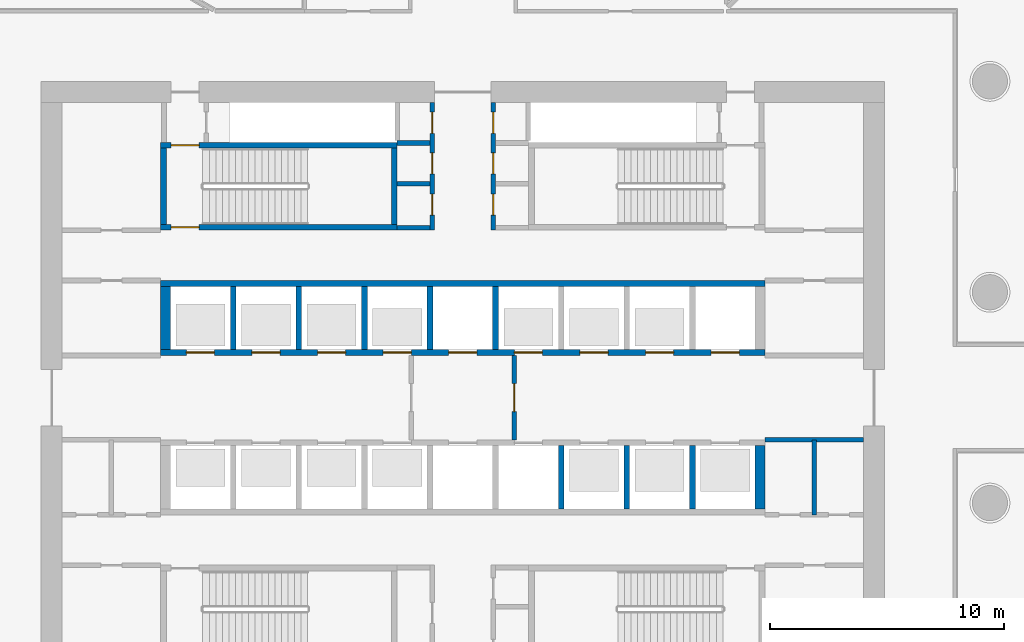
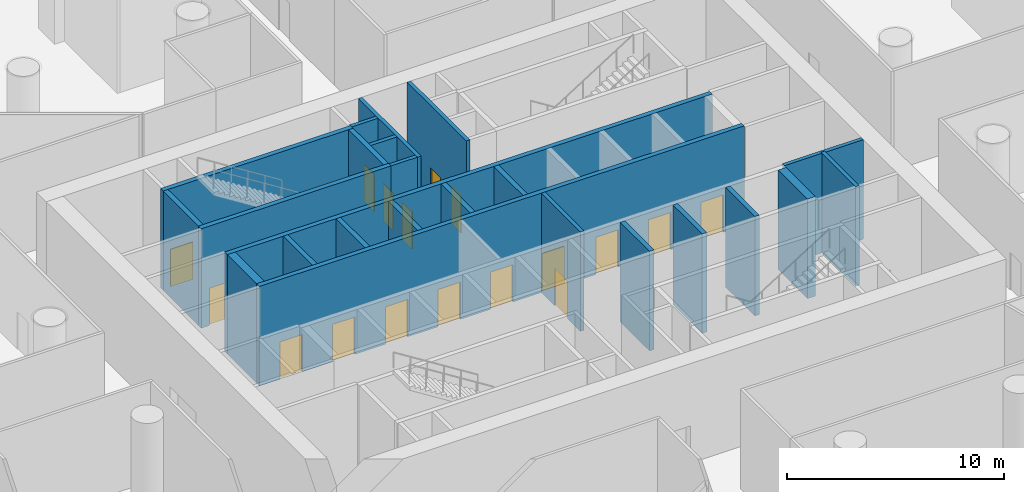
# One storey, part 20 of 44: 24 walls, 18 doors, 18 openings.
"""IFC4 building model written with IfcOpenShell, lengths in metres."""

from ifc_helpers import new_model, si_unit, direction, frame, frame_2d, origin, place, context, subcontext, project, spatial, polyline, rectangle, outline, extrude, material, layer, layer_set, type_object, element, fill, save


model = new_model("IFC4")

# Units and contexts
model_context = context("Model", 3, precision=1e-05, world=origin(), true_north=direction((0.0, 1.0)))
body_context = subcontext(model_context, "Body", "Model", "MODEL_VIEW")
ifc_project = project(units=[si_unit("LENGTHUNIT", "METRE"), si_unit("AREAUNIT", "SQUARE_METRE"), si_unit("VOLUMEUNIT", "CUBIC_METRE"), si_unit("PLANEANGLEUNIT", "RADIAN"), si_unit("MASSUNIT", "GRAM", prefix="KILO")], contexts=[model_context])

# Site, building, storey
site_placement = place(None, origin())
site = spatial("IfcSite", under=ifc_project, at=site_placement, CompositionType="ELEMENT")
building_placement = place(site_placement, origin())
building = spatial("IfcBuilding", under=site, at=building_placement, Name="Dhurran Vertical Campus", CompositionType="ELEMENT")
storey_placement = place(building_placement, origin())
storey = spatial("IfcBuildingStorey", under=building, at=storey_placement, Name="L00", CompositionType="ELEMENT", Elevation=0.0)

# Wall, opening, door
ifc_material_1 = material(Name="Fire-rated masonry blockwork", Category="masonry")
ifc_layer_1 = layer(ifc_material_1, 0.199951171875)
ifc_layer_set_1 = layer_set([ifc_layer_1], Name="Fire-rated masonry blockwork")
wall_type_1 = type_object("IfcWallType", Name="co-FIRE-PARTITION-200", PredefinedType="PARTITIONING", material=ifc_layer_set_1)
wall_1_placement = place(storey_placement, frame((2.199951171875, -1.800048828125, 0.0), z_axis=(0.0, 0.0, 1.0), x_axis=(0.0, 1.0, 0.0)))
wall_1 = element("IfcWall", 1, at=wall_1_placement, inside=storey, type_object=wall_type_1, Name="Firefighting lobby wall E L00", PredefinedType="PARTITIONING", context=body_context, shape_type="SweptSolid", body=[
    extrude(rectangle(XDim=3.60009765625, YDim=0.199951171875, at=frame_2d((1.800048828125, 0.0))), origin(), (0.0, 0.0, 1.0), 5.60009765625),
])
opening_1_placement = place(wall_1_placement, frame((1.199951171875, 0.0, 0.0)))
opening_1 = element("IfcOpeningElement", 2, at=opening_1_placement, cuts=wall_1, Name="Opening FL2", PredefinedType="OPENING", context=body_context, shape_type="SweptSolid", body=[
    extrude(rectangle(XDim=1.199951171875, YDim=2.10009765625, at=frame_2d((0.60009765625, 1.050048828125))), frame((0.0, 0.10986328125, 0.0), z_axis=(0.0, -1.0, 0.0), x_axis=(1.0, 0.0, 0.0)), (0.0, 0.0, 1.0), 0.219970703125),
])
ifc_material_2 = material(Name="Fire-rated steel door set", Category="steel")
door_type_1 = type_object("IfcDoorType", Name="co-D-FFLOBBY 1200x2100", OperationType="SINGLE_SWING_LEFT", PredefinedType="DOOR", material=ifc_material_2)
door_1_placement = place(opening_1_placement, origin())
door_1 = element("IfcDoor", 3, at=door_1_placement, inside=storey, type_object=door_type_1, Name="Firefighting lobby door E L00", OperationType="SINGLE_SWING_LEFT", OverallHeight=2.10009765625, OverallWidth=1.199951171875, PredefinedType="DOOR", context=body_context, shape_type="SweptSolid", body=[
    extrude(rectangle(XDim=1.199951171875, YDim=2.10009765625, at=frame_2d((0.60009765625, 1.050048828125))), frame((0.0, 0.02490234375, 0.0), z_axis=(0.0, -1.0, 0.0), x_axis=(1.0, 0.0, 0.0)), (0.0, 0.0, 1.0), 0.050048828125),
])
fill(opening_1, door_1)

# Walls
for number, where, z_axis, x_axis, name in (
    (4, (-2.800048828125, 7.25, 0.0), (0.0, 0.0, 1.0), (1.0, 0.0, 0.0), "Core partition sl-NW-S L00"),
    (5, (-2.800048828125, 9.135009765625, 0.0), (0.0, 0.0, 1.0), (1.0, 0.0, 0.0), "Core partition sl-NW-cut0 L00"),
    (6, (-2.800048828125, 10.867431640625, 0.0), (0.0, 0.0, 1.0), (1.0, 0.0, 0.0), "Core partition sl-NW-cut1 L00"),
):
    element("IfcWall", number, at=place(storey_placement, frame(where, z_axis=z_axis, x_axis=x_axis)), inside=storey, type_object=wall_type_1, Name=name, PredefinedType="PARTITIONING", context=body_context, shape_type="SweptSolid", body=[
        extrude(rectangle(XDim=1.400146484375, YDim=0.199951171875, at=frame_2d((0.7001953125, 0.0))), origin(), (0.0, 0.0, 1.0), 5.60009765625),
    ])

# Wall, openings, doors
wall_2_placement = place(storey_placement, frame((-1.300048828125, 7.14990234375, 0.0), z_axis=(0.0, 0.0, 1.0), x_axis=(0.0, 1.0, 0.0)))
wall_2 = element("IfcWall", 7, at=wall_2_placement, inside=storey, type_object=wall_type_1, Name="Core partition vest-NW L00", PredefinedType="PARTITIONING", context=body_context, shape_type="SweptSolid", body=[
    extrude(rectangle(XDim=5.4501953125, YDim=0.199951171875, at=frame_2d((2.72509765625, 0.0))), origin(), (0.0, 0.0, 1.0), 5.60009765625),
])
opening_2_placement = place(wall_2_placement, frame((0.642578125, 0.0, 0.0)))
opening_2 = element("IfcOpeningElement", 8, at=opening_2_placement, cuts=wall_2, Name="Opening PD00-C5", PredefinedType="OPENING", context=body_context, shape_type="SweptSolid", body=[
    extrude(rectangle(XDim=0.89990234375, YDim=2.10009765625, at=frame_2d((0.449951171875, 1.050048828125))), frame((0.0, 0.10986328125, 0.0), z_axis=(0.0, -1.0, 0.0), x_axis=(1.0, 0.0, 0.0)), (0.0, 0.0, 1.0), 0.219970703125),
])
opening_3_placement = place(wall_2_placement, frame((2.401123046875, 0.0, 0.0)))
opening_3 = element("IfcOpeningElement", 9, at=opening_3_placement, cuts=wall_2, Name="Opening PD00-C6", PredefinedType="OPENING", context=body_context, shape_type="SweptSolid", body=[
    extrude(rectangle(XDim=0.89990234375, YDim=2.10009765625, at=frame_2d((0.449951171875, 1.050048828125))), frame((0.0, 0.10986328125, 0.0), z_axis=(0.0, -1.0, 0.0), x_axis=(1.0, 0.0, 0.0)), (0.0, 0.0, 1.0), 0.219970703125),
])
opening_4_placement = place(wall_2_placement, frame((4.1337890625, 0.0, 0.0)))
opening_4 = element("IfcOpeningElement", 10, at=opening_4_placement, cuts=wall_2, Name="Opening PD00-C7", PredefinedType="OPENING", context=body_context, shape_type="SweptSolid", body=[
    extrude(rectangle(XDim=0.89990234375, YDim=2.10009765625, at=frame_2d((0.449951171875, 1.050048828125))), frame((0.0, 0.10986328125, 0.0), z_axis=(0.0, -1.0, 0.0), x_axis=(1.0, 0.0, 0.0)), (0.0, 0.0, 1.0), 0.219970703125),
])
ifc_material_3 = material(Name="Fire-rated timber door set", Category="wood")
door_type_2 = type_object("IfcDoorType", Name="co-D-ROOM 900x2100", OperationType="SINGLE_SWING_LEFT", PredefinedType="DOOR", material=ifc_material_3)
door_2_placement = place(opening_2_placement, origin())
door_2 = element("IfcDoor", 11, at=door_2_placement, inside=storey, type_object=door_type_2, Name="Water riser door L00", OperationType="SINGLE_SWING_LEFT", OverallHeight=2.10009765625, OverallWidth=0.89990234375, PredefinedType="DOOR", context=body_context, shape_type="SweptSolid", body=[
    extrude(rectangle(XDim=0.89990234375, YDim=2.10009765625, at=frame_2d((0.449951171875, 1.050048828125))), frame((0.0, 0.02490234375, 0.0), z_axis=(0.0, -1.0, 0.0), x_axis=(1.0, 0.0, 0.0)), (0.0, 0.0, 1.0), 0.050048828125),
])
fill(opening_2, door_2)
door_3_placement = place(opening_3_placement, origin())
door_3 = element("IfcDoor", 12, at=door_3_placement, inside=storey, type_object=door_type_2, Name="Electrical riser door L00", OperationType="SINGLE_SWING_LEFT", OverallHeight=2.10009765625, OverallWidth=0.89990234375, PredefinedType="DOOR", context=body_context, shape_type="SweptSolid", body=[
    extrude(rectangle(XDim=0.89990234375, YDim=2.10009765625, at=frame_2d((0.449951171875, 1.050048828125))), frame((0.0, 0.02490234375, 0.0), z_axis=(0.0, -1.0, 0.0), x_axis=(1.0, 0.0, 0.0)), (0.0, 0.0, 1.0), 0.050048828125),
])
fill(opening_3, door_3)
door_4_placement = place(opening_4_placement, origin())
door_4 = element("IfcDoor", 13, at=door_4_placement, inside=storey, type_object=door_type_2, Name="Housekeeping store door L00", OperationType="SINGLE_SWING_LEFT", OverallHeight=2.10009765625, OverallWidth=0.89990234375, PredefinedType="DOOR", context=body_context, shape_type="SweptSolid", body=[
    extrude(rectangle(XDim=0.89990234375, YDim=2.10009765625, at=frame_2d((0.449951171875, 1.050048828125))), frame((0.0, 0.02490234375, 0.0), z_axis=(0.0, -1.0, 0.0), x_axis=(1.0, 0.0, 0.0)), (0.0, 0.0, 1.0), 0.050048828125),
])
fill(opening_4, door_4)

wall_3_placement = place(storey_placement, frame((1.300048828125, 7.14990234375, 0.0), z_axis=(0.0, 0.0, 1.0), x_axis=(0.0, 1.0, 0.0)))
wall_3 = element("IfcWall", 14, at=wall_3_placement, inside=storey, type_object=wall_type_1, Name="Core partition vest-NE L00", PredefinedType="PARTITIONING", context=body_context, shape_type="SweptSolid", body=[
    extrude(rectangle(XDim=5.4501953125, YDim=0.199951171875, at=frame_2d((2.72509765625, 0.0))), origin(), (0.0, 0.0, 1.0), 5.60009765625),
])
opening_5_placement = place(wall_3_placement, frame((0.642578125, 0.0, 0.0)))
opening_5 = element("IfcOpeningElement", 15, at=opening_5_placement, cuts=wall_3, Name="Opening PD00-C8", PredefinedType="OPENING", context=body_context, shape_type="SweptSolid", body=[
    extrude(rectangle(XDim=0.89990234375, YDim=2.10009765625, at=frame_2d((0.449951171875, 1.050048828125))), frame((0.0, 0.10986328125, 0.0), z_axis=(0.0, -1.0, 0.0), x_axis=(1.0, 0.0, 0.0)), (0.0, 0.0, 1.0), 0.219970703125),
])
opening_6_placement = place(wall_3_placement, frame((2.401123046875, 0.0, 0.0)))
opening_6 = element("IfcOpeningElement", 16, at=opening_6_placement, cuts=wall_3, Name="Opening PD00-C9", PredefinedType="OPENING", context=body_context, shape_type="SweptSolid", body=[
    extrude(rectangle(XDim=0.89990234375, YDim=2.10009765625, at=frame_2d((0.449951171875, 1.050048828125))), frame((0.0, 0.10986328125, 0.0), z_axis=(0.0, -1.0, 0.0), x_axis=(1.0, 0.0, 0.0)), (0.0, 0.0, 1.0), 0.219970703125),
])
opening_7_placement = place(wall_3_placement, frame((4.1337890625, 0.0, 0.0)))
opening_7 = element("IfcOpeningElement", 17, at=opening_7_placement, cuts=wall_3, Name="Opening PD00-C10", PredefinedType="OPENING", context=body_context, shape_type="SweptSolid", body=[
    extrude(rectangle(XDim=0.89990234375, YDim=2.10009765625, at=frame_2d((0.449951171875, 1.050048828125))), frame((0.0, 0.10986328125, 0.0), z_axis=(0.0, -1.0, 0.0), x_axis=(1.0, 0.0, 0.0)), (0.0, 0.0, 1.0), 0.219970703125),
])
door_5_placement = place(opening_5_placement, origin())
door_5 = element("IfcDoor", 18, at=door_5_placement, inside=storey, type_object=door_type_2, Name="Store door L00", OperationType="SINGLE_SWING_LEFT", OverallHeight=2.10009765625, OverallWidth=0.89990234375, PredefinedType="DOOR", context=body_context, shape_type="SweptSolid", body=[
    extrude(rectangle(XDim=0.89990234375, YDim=2.10009765625, at=frame_2d((0.449951171875, 1.050048828125))), frame((0.0, 0.02490234375, 0.0), z_axis=(0.0, -1.0, 0.0), x_axis=(1.0, 0.0, 0.0)), (0.0, 0.0, 1.0), 0.050048828125),
])
fill(opening_5, door_5)
door_6_placement = place(opening_6_placement, origin())
door_6 = element("IfcDoor", 19, at=door_6_placement, inside=storey, type_object=door_type_2, Name="Plant room door L00", OperationType="SINGLE_SWING_LEFT", OverallHeight=2.10009765625, OverallWidth=0.89990234375, PredefinedType="DOOR", context=body_context, shape_type="SweptSolid", body=[
    extrude(rectangle(XDim=0.89990234375, YDim=2.10009765625, at=frame_2d((0.449951171875, 1.050048828125))), frame((0.0, 0.02490234375, 0.0), z_axis=(0.0, -1.0, 0.0), x_axis=(1.0, 0.0, 0.0)), (0.0, 0.0, 1.0), 0.050048828125),
])
fill(opening_6, door_6)
door_7_placement = place(opening_7_placement, origin())
door_7 = element("IfcDoor", 20, at=door_7_placement, inside=storey, type_object=door_type_2, Name="Server room door L00", OperationType="SINGLE_SWING_LEFT", OverallHeight=2.10009765625, OverallWidth=0.89990234375, PredefinedType="DOOR", context=body_context, shape_type="SweptSolid", body=[
    extrude(rectangle(XDim=0.89990234375, YDim=2.10009765625, at=frame_2d((0.449951171875, 1.050048828125))), frame((0.0, 0.02490234375, 0.0), z_axis=(0.0, -1.0, 0.0), x_axis=(1.0, 0.0, 0.0)), (0.0, 0.0, 1.0), 0.050048828125),
])
fill(opening_7, door_7)

# Walls
wall_4_placement = place(storey_placement, frame((15.0, -5.0, 0.0), z_axis=(0.0, 0.0, 1.0), x_axis=(0.0, 1.0, 0.0)))
element("IfcWall", 21, at=wall_4_placement, inside=storey, type_object=wall_type_1, Name="Core partition es-SE-cut0 L00", PredefinedType="PARTITIONING", context=body_context, shape_type="SweptSolid", body=[
    extrude(rectangle(XDim=3.199951171875, YDim=0.199951171875, at=frame_2d((1.60009765625, 0.0))), origin(), (0.0, 0.0, 1.0), 5.60009765625),
])
wall_5_placement = place(storey_placement, frame((12.89990234375, -1.800048828125, 0.0), z_axis=(0.0, 0.0, 1.0), x_axis=(1.0, 0.0, 0.0)))
element("IfcWall", 22, at=wall_5_placement, inside=storey, type_object=wall_type_1, Name="Core partition es-SE-l L00", PredefinedType="PARTITIONING", context=body_context, shape_type="SweptSolid", body=[
    extrude(rectangle(XDim=4.2001953125, YDim=0.199951171875, at=frame_2d((2.10009765625, 0.0))), origin(), (0.0, 0.0, 1.0), 5.60009765625),
])

# Wall, openings, doors
ifc_material_4 = material(Name="Concrete C50/60", Category="concrete")
ifc_layer_2 = layer(ifc_material_4, 0.25)
ifc_layer_set_2 = layer_set([ifc_layer_2], Name="Concrete C50/60")
wall_type_2 = type_object("IfcWallType", Name="co-SHAFT-FRONT-250", PredefinedType="SHEAR", material=ifc_layer_set_2)
wall_6_placement = place(storey_placement, frame((-12.89990234375, 1.925048828125, 0.0), z_axis=(0.0, 0.0, 1.0), x_axis=(1.0, 0.0, 0.0)))
wall_6 = element("IfcWall", 23, at=wall_6_placement, inside=storey, type_object=wall_type_2, Name="Lift landing wall N L00", PredefinedType="SHEAR", context=body_context, shape_type="SweptSolid", body=[
    extrude(rectangle(XDim=25.7998046875, YDim=0.25, at=frame_2d((12.89990234375, 0.0))), origin(), (0.0, 0.0, 1.0), 5.60009765625),
])
opening_8_placement = place(wall_6_placement, frame((1.10009765625, 0.0, 0.0)))
opening_8 = element("IfcOpeningElement", 24, at=opening_8_placement, cuts=wall_6, Name="Opening LD", PredefinedType="OPENING", context=body_context, shape_type="SweptSolid", body=[
    extrude(rectangle(XDim=1.199951171875, YDim=2.10009765625, at=frame_2d((0.60009765625, 1.050048828125))), frame((0.0, 0.135009765625, 0.0), z_axis=(0.0, -1.0, 0.0), x_axis=(1.0, 0.0, 0.0)), (0.0, 0.0, 1.0), 0.27001953125),
])
opening_9_placement = place(wall_6_placement, frame((3.89990234375, 0.0, 0.0)))
opening_9 = element("IfcOpeningElement", 25, at=opening_9_placement, cuts=wall_6, Name="Opening LD", PredefinedType="OPENING", context=body_context, shape_type="SweptSolid", body=[
    extrude(rectangle(XDim=1.199951171875, YDim=2.10009765625, at=frame_2d((0.60009765625, 1.050048828125))), frame((0.0, 0.135009765625, 0.0), z_axis=(0.0, -1.0, 0.0), x_axis=(1.0, 0.0, 0.0)), (0.0, 0.0, 1.0), 0.27001953125),
])
opening_10_placement = place(wall_6_placement, frame((6.699951171875, 0.0, 0.0)))
opening_10 = element("IfcOpeningElement", 26, at=opening_10_placement, cuts=wall_6, Name="Opening LD", PredefinedType="OPENING", context=body_context, shape_type="SweptSolid", body=[
    extrude(rectangle(XDim=1.199951171875, YDim=2.10009765625, at=frame_2d((0.60009765625, 1.050048828125))), frame((0.0, 0.135009765625, 0.0), z_axis=(0.0, -1.0, 0.0), x_axis=(1.0, 0.0, 0.0)), (0.0, 0.0, 1.0), 0.27001953125),
])
opening_11_placement = place(wall_6_placement, frame((9.5, 0.0, 0.0)))
opening_11 = element("IfcOpeningElement", 27, at=opening_11_placement, cuts=wall_6, Name="Opening LD", PredefinedType="OPENING", context=body_context, shape_type="SweptSolid", body=[
    extrude(rectangle(XDim=1.199951171875, YDim=2.10009765625, at=frame_2d((0.60009765625, 1.050048828125))), frame((0.0, 0.135009765625, 0.0), z_axis=(0.0, -1.0, 0.0), x_axis=(1.0, 0.0, 0.0)), (0.0, 0.0, 1.0), 0.27001953125),
])
opening_12_placement = place(wall_6_placement, frame((12.300048828125, 0.0, 0.0)))
opening_12 = element("IfcOpeningElement", 28, at=opening_12_placement, cuts=wall_6, Name="Opening LD", PredefinedType="OPENING", context=body_context, shape_type="SweptSolid", body=[
    extrude(rectangle(XDim=1.199951171875, YDim=2.10009765625, at=frame_2d((0.60009765625, 1.050048828125))), frame((0.0, 0.135009765625, 0.0), z_axis=(0.0, -1.0, 0.0), x_axis=(1.0, 0.0, 0.0)), (0.0, 0.0, 1.0), 0.27001953125),
])
opening_13_placement = place(wall_6_placement, frame((15.10009765625, 0.0, 0.0)))
opening_13 = element("IfcOpeningElement", 29, at=opening_13_placement, cuts=wall_6, Name="Opening LD", PredefinedType="OPENING", context=body_context, shape_type="SweptSolid", body=[
    extrude(rectangle(XDim=1.199951171875, YDim=2.10009765625, at=frame_2d((0.60009765625, 1.050048828125))), frame((0.0, 0.135009765625, 0.0), z_axis=(0.0, -1.0, 0.0), x_axis=(1.0, 0.0, 0.0)), (0.0, 0.0, 1.0), 0.27001953125),
])
opening_14_placement = place(wall_6_placement, frame((17.89990234375, 0.0, 0.0)))
opening_14 = element("IfcOpeningElement", 30, at=opening_14_placement, cuts=wall_6, Name="Opening LD", PredefinedType="OPENING", context=body_context, shape_type="SweptSolid", body=[
    extrude(rectangle(XDim=1.199951171875, YDim=2.10009765625, at=frame_2d((0.60009765625, 1.050048828125))), frame((0.0, 0.135009765625, 0.0), z_axis=(0.0, -1.0, 0.0), x_axis=(1.0, 0.0, 0.0)), (0.0, 0.0, 1.0), 0.27001953125),
])
opening_15_placement = place(wall_6_placement, frame((20.699951171875, 0.0, 0.0)))
opening_15 = element("IfcOpeningElement", 31, at=opening_15_placement, cuts=wall_6, Name="Opening LD", PredefinedType="OPENING", context=body_context, shape_type="SweptSolid", body=[
    extrude(rectangle(XDim=1.199951171875, YDim=2.10009765625, at=frame_2d((0.60009765625, 1.050048828125))), frame((0.0, 0.135009765625, 0.0), z_axis=(0.0, -1.0, 0.0), x_axis=(1.0, 0.0, 0.0)), (0.0, 0.0, 1.0), 0.27001953125),
])
opening_16_placement = place(wall_6_placement, frame((23.5, 0.0, 0.0)))
opening_16 = element("IfcOpeningElement", 32, at=opening_16_placement, cuts=wall_6, Name="Opening LD", PredefinedType="OPENING", context=body_context, shape_type="SweptSolid", body=[
    extrude(rectangle(XDim=1.199951171875, YDim=2.10009765625, at=frame_2d((0.60009765625, 1.050048828125))), frame((0.0, 0.135009765625, 0.0), z_axis=(0.0, -1.0, 0.0), x_axis=(1.0, 0.0, 0.0)), (0.0, 0.0, 1.0), 0.27001953125),
])
ifc_material_5 = material(Name="Stainless steel landing door", Category="steel")
door_type_3 = type_object("IfcDoorType", Name="co-D-LANDING 1200x2100", OperationType="DOUBLE_DOOR_SLIDING", PredefinedType="DOOR", material=ifc_material_5)
door_8_placement = place(opening_8_placement, origin())
door_8 = element("IfcDoor", 33, at=door_8_placement, inside=storey, type_object=door_type_3, Name="Landing door SA1 L00", OperationType="DOUBLE_DOOR_SLIDING", OverallHeight=2.10009765625, OverallWidth=1.199951171875, PredefinedType="DOOR", context=body_context, shape_type="SweptSolid", body=[
    extrude(rectangle(XDim=1.199951171875, YDim=2.10009765625, at=frame_2d((0.60009765625, 1.050048828125))), frame((0.0, 0.02490234375, 0.0), z_axis=(0.0, -1.0, 0.0), x_axis=(1.0, 0.0, 0.0)), (0.0, 0.0, 1.0), 0.050048828125),
])
fill(opening_8, door_8)
door_9_placement = place(opening_9_placement, origin())
door_9 = element("IfcDoor", 34, at=door_9_placement, inside=storey, type_object=door_type_3, Name="Landing door SA2 L00", OperationType="DOUBLE_DOOR_SLIDING", OverallHeight=2.10009765625, OverallWidth=1.199951171875, PredefinedType="DOOR", context=body_context, shape_type="SweptSolid", body=[
    extrude(rectangle(XDim=1.199951171875, YDim=2.10009765625, at=frame_2d((0.60009765625, 1.050048828125))), frame((0.0, 0.02490234375, 0.0), z_axis=(0.0, -1.0, 0.0), x_axis=(1.0, 0.0, 0.0)), (0.0, 0.0, 1.0), 0.050048828125),
])
fill(opening_9, door_9)
door_10_placement = place(opening_10_placement, origin())
door_10 = element("IfcDoor", 35, at=door_10_placement, inside=storey, type_object=door_type_3, Name="Landing door SA3 L00", OperationType="DOUBLE_DOOR_SLIDING", OverallHeight=2.10009765625, OverallWidth=1.199951171875, PredefinedType="DOOR", context=body_context, shape_type="SweptSolid", body=[
    extrude(rectangle(XDim=1.199951171875, YDim=2.10009765625, at=frame_2d((0.60009765625, 1.050048828125))), frame((0.0, 0.02490234375, 0.0), z_axis=(0.0, -1.0, 0.0), x_axis=(1.0, 0.0, 0.0)), (0.0, 0.0, 1.0), 0.050048828125),
])
fill(opening_10, door_10)
door_11_placement = place(opening_11_placement, origin())
door_11 = element("IfcDoor", 36, at=door_11_placement, inside=storey, type_object=door_type_3, Name="Landing door LR1 L00", OperationType="DOUBLE_DOOR_SLIDING", OverallHeight=2.10009765625, OverallWidth=1.199951171875, PredefinedType="DOOR", context=body_context, shape_type="SweptSolid", body=[
    extrude(rectangle(XDim=1.199951171875, YDim=2.10009765625, at=frame_2d((0.60009765625, 1.050048828125))), frame((0.0, 0.02490234375, 0.0), z_axis=(0.0, -1.0, 0.0), x_axis=(1.0, 0.0, 0.0)), (0.0, 0.0, 1.0), 0.050048828125),
])
fill(opening_11, door_11)
door_12_placement = place(opening_12_placement, origin())
door_12 = element("IfcDoor", 37, at=door_12_placement, inside=storey, type_object=door_type_3, Name="Landing door FF1 L00", OperationType="DOUBLE_DOOR_SLIDING", OverallHeight=2.10009765625, OverallWidth=1.199951171875, PredefinedType="DOOR", context=body_context, shape_type="SweptSolid", body=[
    extrude(rectangle(XDim=1.199951171875, YDim=2.10009765625, at=frame_2d((0.60009765625, 1.050048828125))), frame((0.0, 0.02490234375, 0.0), z_axis=(0.0, -1.0, 0.0), x_axis=(1.0, 0.0, 0.0)), (0.0, 0.0, 1.0), 0.050048828125),
])
fill(opening_12, door_12)
door_13_placement = place(opening_13_placement, origin())
door_13 = element("IfcDoor", 38, at=door_13_placement, inside=storey, type_object=door_type_3, Name="Landing door LR2 L00", OperationType="DOUBLE_DOOR_SLIDING", OverallHeight=2.10009765625, OverallWidth=1.199951171875, PredefinedType="DOOR", context=body_context, shape_type="SweptSolid", body=[
    extrude(rectangle(XDim=1.199951171875, YDim=2.10009765625, at=frame_2d((0.60009765625, 1.050048828125))), frame((0.0, 0.02490234375, 0.0), z_axis=(0.0, -1.0, 0.0), x_axis=(1.0, 0.0, 0.0)), (0.0, 0.0, 1.0), 0.050048828125),
])
fill(opening_13, door_13)
door_14_placement = place(opening_14_placement, origin())
door_14 = element("IfcDoor", 39, at=door_14_placement, inside=storey, type_object=door_type_3, Name="Landing door LR3 L00", OperationType="DOUBLE_DOOR_SLIDING", OverallHeight=2.10009765625, OverallWidth=1.199951171875, PredefinedType="DOOR", context=body_context, shape_type="SweptSolid", body=[
    extrude(rectangle(XDim=1.199951171875, YDim=2.10009765625, at=frame_2d((0.60009765625, 1.050048828125))), frame((0.0, 0.02490234375, 0.0), z_axis=(0.0, -1.0, 0.0), x_axis=(1.0, 0.0, 0.0)), (0.0, 0.0, 1.0), 0.050048828125),
])
fill(opening_14, door_14)
door_15_placement = place(opening_15_placement, origin())
door_15 = element("IfcDoor", 40, at=door_15_placement, inside=storey, type_object=door_type_3, Name="Landing door LR4 L00", OperationType="DOUBLE_DOOR_SLIDING", OverallHeight=2.10009765625, OverallWidth=1.199951171875, PredefinedType="DOOR", context=body_context, shape_type="SweptSolid", body=[
    extrude(rectangle(XDim=1.199951171875, YDim=2.10009765625, at=frame_2d((0.60009765625, 1.050048828125))), frame((0.0, 0.02490234375, 0.0), z_axis=(0.0, -1.0, 0.0), x_axis=(1.0, 0.0, 0.0)), (0.0, 0.0, 1.0), 0.050048828125),
])
fill(opening_15, door_15)
door_16_placement = place(opening_16_placement, origin())
door_16 = element("IfcDoor", 41, at=door_16_placement, inside=storey, type_object=door_type_3, Name="Landing door SV2 L00", OperationType="DOUBLE_DOOR_SLIDING", OverallHeight=2.10009765625, OverallWidth=1.199951171875, PredefinedType="DOOR", context=body_context, shape_type="SweptSolid", body=[
    extrude(rectangle(XDim=1.199951171875, YDim=2.10009765625, at=frame_2d((0.60009765625, 1.050048828125))), frame((0.0, 0.02490234375, 0.0), z_axis=(0.0, -1.0, 0.0), x_axis=(1.0, 0.0, 0.0)), (0.0, 0.0, 1.0), 0.050048828125),
])
fill(opening_16, door_16)

# Walls
ifc_material_6 = material(Name="Concrete C50/60", Category="concrete")
ifc_layer_3 = layer(ifc_material_6, 0.25)
ifc_layer_set_3 = layer_set([ifc_layer_3], Name="Concrete C50/60")
wall_type_3 = type_object("IfcWallType", Name="co-SHAFT-MASS-250", PredefinedType="SHEAR", material=ifc_layer_set_3)
wall_7_placement = place(storey_placement, origin())
element("IfcWall", 42, at=wall_7_placement, inside=storey, type_object=wall_type_3, Name="Lift shaft wall N L00 1", PredefinedType="SHEAR", context=body_context, shape_type="SweptSolid", body=[
    extrude(outline(polyline([(-12.89990234375, 4.75), (12.89990234375, 4.75), (12.89990234375, 5.0), (-12.89990234375, 5.0), (-12.89990234375, 4.75)])), origin(), (0.0, 0.0, 1.0), 5.60009765625),
])
wall_8_placement = place(storey_placement, origin())
element("IfcWall", 43, at=wall_8_placement, inside=storey, type_object=wall_type_3, Name="Lift shaft wall N L00 2", PredefinedType="SHEAR", context=body_context, shape_type="SweptSolid", body=[
    extrude(outline(polyline([(-12.89990234375, 2.050048828125), (-12.47509765625, 2.050048828125), (-12.47509765625, 4.75), (-12.89990234375, 4.75), (-12.89990234375, 2.050048828125)])), origin(), (0.0, 0.0, 1.0), 5.60009765625),
])
wall_9_placement = place(storey_placement, origin())
element("IfcWall", 44, at=wall_9_placement, inside=storey, type_object=wall_type_3, Name="Lift shaft wall N L00 3", PredefinedType="SHEAR", context=body_context, shape_type="SweptSolid", body=[
    extrude(outline(polyline([(-9.925048828125, 2.050048828125), (-9.675048828125, 2.050048828125), (-9.675048828125, 4.75), (-9.925048828125, 4.75), (-9.925048828125, 2.050048828125)])), origin(), (0.0, 0.0, 1.0), 5.60009765625),
])
wall_10_placement = place(storey_placement, origin())
element("IfcWall", 45, at=wall_10_placement, inside=storey, type_object=wall_type_3, Name="Lift shaft wall N L00 4", PredefinedType="SHEAR", context=body_context, shape_type="SweptSolid", body=[
    extrude(outline(polyline([(-7.125, 2.050048828125), (-6.875, 2.050048828125), (-6.875, 4.75), (-7.125, 4.75), (-7.125, 2.050048828125)])), origin(), (0.0, 0.0, 1.0), 5.60009765625),
])
wall_11_placement = place(storey_placement, origin())
element("IfcWall", 46, at=wall_11_placement, inside=storey, type_object=wall_type_3, Name="Lift shaft wall N L00 5", PredefinedType="SHEAR", context=body_context, shape_type="SweptSolid", body=[
    extrude(outline(polyline([(-4.324951171875, 2.050048828125), (-4.074951171875, 2.050048828125), (-4.074951171875, 4.75), (-4.324951171875, 4.75), (-4.324951171875, 2.050048828125)])), origin(), (0.0, 0.0, 1.0), 5.60009765625),
])
wall_12_placement = place(storey_placement, origin())
element("IfcWall", 47, at=wall_12_placement, inside=storey, type_object=wall_type_3, Name="Lift shaft wall N L00 6", PredefinedType="SHEAR", context=body_context, shape_type="SweptSolid", body=[
    extrude(outline(polyline([(-1.52490234375, 2.050048828125), (-1.27490234375, 2.050048828125), (-1.27490234375, 4.75), (-1.52490234375, 4.75), (-1.52490234375, 2.050048828125)])), origin(), (0.0, 0.0, 1.0), 5.60009765625),
])
wall_13_placement = place(storey_placement, origin())
element("IfcWall", 48, at=wall_13_placement, inside=storey, type_object=wall_type_3, Name="Lift shaft wall N L00 7", PredefinedType="SHEAR", context=body_context, shape_type="SweptSolid", body=[
    extrude(outline(polyline([(1.27490234375, 2.050048828125), (1.52490234375, 2.050048828125), (1.52490234375, 4.75), (1.27490234375, 4.75), (1.27490234375, 2.050048828125)])), origin(), (0.0, 0.0, 1.0), 5.60009765625),
])
wall_14_placement = place(storey_placement, origin())
element("IfcWall", 49, at=wall_14_placement, inside=storey, type_object=wall_type_3, Name="Lift shaft wall S L00 8", PredefinedType="SHEAR", context=body_context, shape_type="SweptSolid", body=[
    extrude(outline(polyline([(4.074951171875, -4.75), (4.324951171875, -4.75), (4.324951171875, -2.050048828125), (4.074951171875, -2.050048828125), (4.074951171875, -4.75)])), origin(), (0.0, 0.0, 1.0), 5.60009765625),
])
wall_15_placement = place(storey_placement, origin())
element("IfcWall", 50, at=wall_15_placement, inside=storey, type_object=wall_type_3, Name="Lift shaft wall S L00 9", PredefinedType="SHEAR", context=body_context, shape_type="SweptSolid", body=[
    extrude(outline(polyline([(6.875, -4.75), (7.125, -4.75), (7.125, -2.050048828125), (6.875, -2.050048828125), (6.875, -4.75)])), origin(), (0.0, 0.0, 1.0), 5.60009765625),
])
wall_16_placement = place(storey_placement, origin())
element("IfcWall", 51, at=wall_16_placement, inside=storey, type_object=wall_type_3, Name="Lift shaft wall S L00 10", PredefinedType="SHEAR", context=body_context, shape_type="SweptSolid", body=[
    extrude(outline(polyline([(9.675048828125, -4.75), (9.925048828125, -4.75), (9.925048828125, -2.050048828125), (9.675048828125, -2.050048828125), (9.675048828125, -4.75)])), origin(), (0.0, 0.0, 1.0), 5.60009765625),
])
wall_17_placement = place(storey_placement, origin())
element("IfcWall", 52, at=wall_17_placement, inside=storey, type_object=wall_type_3, Name="Lift shaft wall S L00 11", PredefinedType="SHEAR", context=body_context, shape_type="SweptSolid", body=[
    extrude(outline(polyline([(12.47509765625, -4.75), (12.89990234375, -4.75), (12.89990234375, -2.050048828125), (12.47509765625, -2.050048828125), (12.47509765625, -4.75)])), origin(), (0.0, 0.0, 1.0), 5.60009765625),
])

# Wall, opening, door
ifc_material_7 = material(Name="Concrete C40/50", Category="concrete")
ifc_layer_4 = layer(ifc_material_7, 0.25)
ifc_layer_set_4 = layer_set([ifc_layer_4], Name="Concrete C40/50")
wall_type_4 = type_object("IfcWallType", Name="co-STAIR-WALL-250", PredefinedType="SHEAR", material=ifc_layer_set_4)
wall_18_placement = place(storey_placement, frame((-12.89990234375, 7.27490234375, 0.0), z_axis=(0.0, 0.0, 1.0), x_axis=(1.0, 0.0, 0.0)))
wall_18 = element("IfcWall", 53, at=wall_18_placement, inside=storey, type_object=wall_type_4, Name="Stair ST1 enclosure wall L00", PredefinedType="SHEAR", context=body_context, shape_type="SweptSolid", body=[
    extrude(rectangle(XDim=10.099853515625, YDim=0.25, at=frame_2d((5.0498046875, 0.0))), origin(), (0.0, 0.0, 1.0), 5.60009765625),
])
opening_17_placement = place(wall_18_placement, frame((0.449951171875, 0.0, 0.0)))
opening_17 = element("IfcOpeningElement", 54, at=opening_17_placement, cuts=wall_18, Name="Opening SD1", PredefinedType="OPENING", context=body_context, shape_type="SweptSolid", body=[
    extrude(rectangle(XDim=1.199951171875, YDim=2.10009765625, at=frame_2d((0.60009765625, 1.050048828125))), frame((0.0, 0.135009765625, 0.0), z_axis=(0.0, -1.0, 0.0), x_axis=(1.0, 0.0, 0.0)), (0.0, 0.0, 1.0), 0.27001953125),
])
ifc_material_8 = material(Name="Fire-rated steel door set", Category="steel")
door_type_4 = type_object("IfcDoorType", Name="co-D-STAIR 1200x2100", OperationType="SINGLE_SWING_LEFT", PredefinedType="DOOR", material=ifc_material_8)
door_17_placement = place(opening_17_placement, origin())
door_17 = element("IfcDoor", 55, at=door_17_placement, inside=storey, type_object=door_type_4, Name="Stair ST1 door L00", OperationType="SINGLE_SWING_LEFT", OverallHeight=2.10009765625, OverallWidth=1.199951171875, PredefinedType="DOOR", context=body_context, shape_type="SweptSolid", body=[
    extrude(rectangle(XDim=1.199951171875, YDim=2.10009765625, at=frame_2d((0.60009765625, 1.050048828125))), frame((0.0, 0.02490234375, 0.0), z_axis=(0.0, -1.0, 0.0), x_axis=(1.0, 0.0, 0.0)), (0.0, 0.0, 1.0), 0.050048828125),
])
fill(opening_17, door_17)

wall_19_placement = place(storey_placement, frame((-12.89990234375, 10.77490234375, 0.0), z_axis=(0.0, 0.0, 1.0), x_axis=(1.0, 0.0, 0.0)))
wall_19 = element("IfcWall", 56, at=wall_19_placement, inside=storey, type_object=wall_type_4, Name="Stair ST1 enclosure wall L00", PredefinedType="SHEAR", context=body_context, shape_type="SweptSolid", body=[
    extrude(rectangle(XDim=10.099853515625, YDim=0.25, at=frame_2d((5.0498046875, 0.0))), origin(), (0.0, 0.0, 1.0), 5.60009765625),
])
opening_18_placement = place(wall_19_placement, frame((0.449951171875, 0.0, 0.0)))
opening_18 = element("IfcOpeningElement", 57, at=opening_18_placement, cuts=wall_19, Name="Opening XS1", PredefinedType="OPENING", context=body_context, shape_type="SweptSolid", body=[
    extrude(rectangle(XDim=1.199951171875, YDim=2.10009765625, at=frame_2d((0.60009765625, 1.050048828125))), frame((0.0, 0.135009765625, 0.0), z_axis=(0.0, -1.0, 0.0), x_axis=(1.0, 0.0, 0.0)), (0.0, 0.0, 1.0), 0.27001953125),
])
ifc_material_9 = material(Name="Fire-rated steel door set", Category="steel")
door_type_5 = type_object("IfcDoorType", Name="co-D-STAIR-EXIT 1200x2100", OperationType="SINGLE_SWING_RIGHT", PredefinedType="DOOR", material=ifc_material_9)
door_18_placement = place(opening_18_placement, origin())
door_18 = element("IfcDoor", 58, at=door_18_placement, inside=storey, type_object=door_type_5, Name="Stair ST1 discharge door L00", OperationType="SINGLE_SWING_RIGHT", OverallHeight=2.10009765625, OverallWidth=1.199951171875, PredefinedType="DOOR", context=body_context, shape_type="SweptSolid", body=[
    extrude(rectangle(XDim=1.199951171875, YDim=2.10009765625, at=frame_2d((0.60009765625, 1.050048828125))), frame((0.0, 0.02490234375, 0.0), z_axis=(0.0, -1.0, 0.0), x_axis=(1.0, 0.0, 0.0)), (0.0, 0.0, 1.0), 0.050048828125),
])
fill(opening_18, door_18)

# Walls
for number, where, z_axis, x_axis, name in (
    (59, (-12.77490234375, 7.39990234375, 0.0), (0.0, 0.0, 1.0), (0.0, 1.0, 0.0), "Stair ST1 enclosure wall L00"),
    (60, (-2.925048828125, 7.39990234375, 0.0), (0.0, 0.0, 1.0), (0.0, 1.0, 0.0), "Stair ST1 enclosure wall L00"),
):
    element("IfcWall", number, at=place(storey_placement, frame(where, z_axis=z_axis, x_axis=x_axis)), inside=storey, type_object=wall_type_4, Name=name, PredefinedType="SHEAR", context=body_context, shape_type="SweptSolid", body=[
        extrude(rectangle(XDim=3.25, YDim=0.25, at=frame_2d((1.625, 0.0))), origin(), (0.0, 0.0, 1.0), 5.60009765625),
    ])

save(model, "model.ifc")
